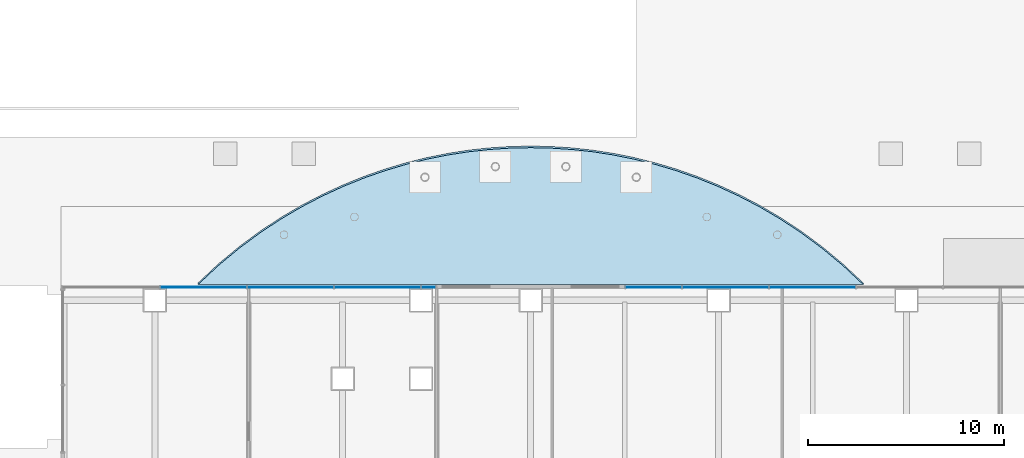
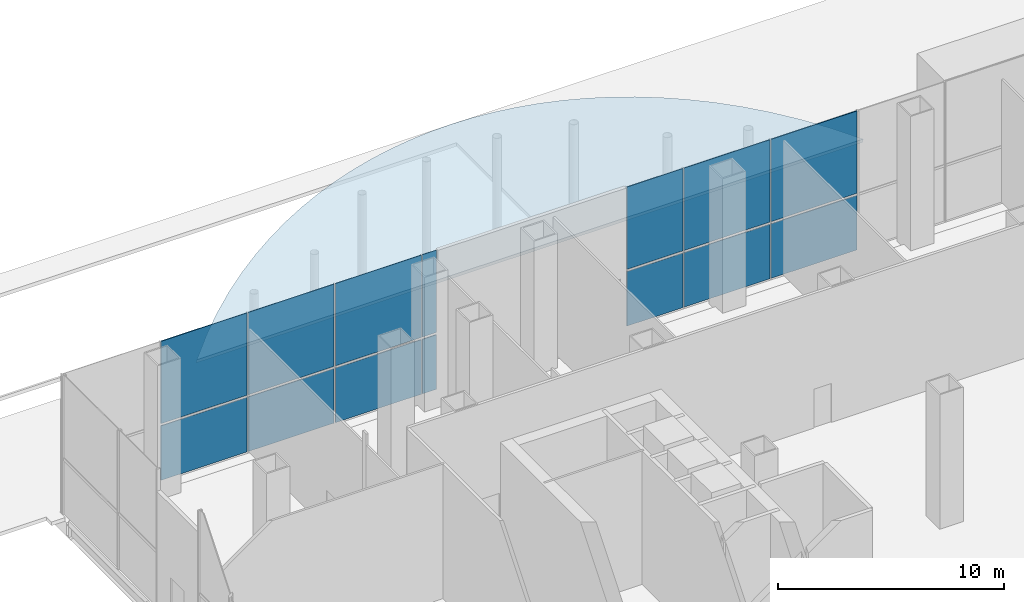
# One storey, part 23 of 36: 14 plates, 1 slab, 2 elements without a shape of their own.
"""IFC4 building model written with IfcOpenShell, lengths in metres."""

from ifc_helpers import new_model, si_unit, direction, frame, origin, origin_2d, place, context, subcontext, project, spatial, polyline, rectangle, outline, extrude, material, layer, layer_set, type_object, element, aggregate, save


model = new_model("IFC4")

# Units and contexts
model_context = context("Model", 3, precision=1e-05, world=origin(), true_north=direction((0.0, 1.0)))
body_context = subcontext(model_context, "Body", "Model", "MODEL_VIEW")
ifc_project = project(units=[si_unit("LENGTHUNIT", "METRE"), si_unit("AREAUNIT", "SQUARE_METRE"), si_unit("VOLUMEUNIT", "CUBIC_METRE"), si_unit("PLANEANGLEUNIT", "RADIAN"), si_unit("MASSUNIT", "GRAM", prefix="KILO")], contexts=[model_context])

# Site, building, storey
site_placement = place(None, origin())
site = spatial("IfcSite", under=ifc_project, at=site_placement, CompositionType="ELEMENT")
building_placement = place(site_placement, origin())
building = spatial("IfcBuilding", under=site, at=building_placement, Name="Cobrizo Arcos Hotel Tower", CompositionType="ELEMENT")
storey_placement = place(building_placement, origin())
storey = spatial("IfcBuildingStorey", under=building, at=storey_placement, Name="L00", CompositionType="ELEMENT", Elevation=0.0)

# Curtain wall, plates
ifc_material_1 = material(Name="Aluminium 6063-T6 anodised bronze", Category="aluminium")
curtain_wall_type = type_object("IfcCurtainWallType", Name="CW-A guest facade", PredefinedType="NOTDEFINED", material=ifc_material_1)
curtain_wall_1_placement = place(storey_placement, origin())
curtain_wall_1 = element("IfcCurtainWall", 1, at=curtain_wall_1_placement, inside=storey, type_object=curtain_wall_type, Name="CW-A L00 N face", PredefinedType="NOTDEFINED")
ifc_material_2 = material(Name="Glass clear laminated low-e", Category="glass")
ifc_layer_1 = layer(ifc_material_2, 0.0400390625)
ifc_layer_set_1 = layer_set([ifc_layer_1], Name="CW-A glass panel")
plate_type = type_object("IfcPlateType", Name="CW-A glass panel", PredefinedType="CURTAIN_PANEL", material=ifc_layer_set_1)
plate_1_placement = place(storey_placement, frame((0.0, 24.675048828125, 0.0), z_axis=(0.0, 0.0, 1.0), x_axis=(-1.0, 0.0, 0.0)))
plate_1 = element("IfcPlate", 2, at=plate_1_placement, type_object=plate_type, Name="CW-A glass panel 19", PredefinedType="CURTAIN_PANEL", context=body_context, shape_type="SweptSolid", body=[
    extrude(rectangle(XDim=4.384521484375, YDim=0.0400390625, at=origin_2d()), origin(), (0.0, 0.0, 1.0), 2.93994140625),
])
plate_2_placement = place(storey_placement, frame((0.0, 24.675048828125, 3.06005859375), z_axis=(0.0, 0.0, 1.0), x_axis=(-1.0, 0.0, 0.0)))
plate_2 = element("IfcPlate", 3, at=plate_2_placement, type_object=plate_type, Name="CW-A glass panel 19", PredefinedType="CURTAIN_PANEL", context=body_context, shape_type="SweptSolid", body=[
    extrude(rectangle(XDim=4.384521484375, YDim=0.0400390625, at=origin_2d()), origin(), (0.0, 0.0, 1.0), 4.43994140625),
])
plate_3_placement = place(storey_placement, frame((-4.4443359375, 24.675048828125, 0.0), z_axis=(0.0, 0.0, 1.0), x_axis=(-1.0, 0.0, 0.0)))
plate_3 = element("IfcPlate", 4, at=plate_3_placement, type_object=plate_type, Name="CW-A glass panel 20", PredefinedType="CURTAIN_PANEL", context=body_context, shape_type="SweptSolid", body=[
    extrude(rectangle(XDim=4.384521484375, YDim=0.0400390625, at=origin_2d()), origin(), (0.0, 0.0, 1.0), 2.93994140625),
])
plate_4_placement = place(storey_placement, frame((-4.4443359375, 24.675048828125, 3.06005859375), z_axis=(0.0, 0.0, 1.0), x_axis=(-1.0, 0.0, 0.0)))
plate_4 = element("IfcPlate", 5, at=plate_4_placement, type_object=plate_type, Name="CW-A glass panel 20", PredefinedType="CURTAIN_PANEL", context=body_context, shape_type="SweptSolid", body=[
    extrude(rectangle(XDim=4.384521484375, YDim=0.0400390625, at=origin_2d()), origin(), (0.0, 0.0, 1.0), 4.43994140625),
])
plate_5_placement = place(storey_placement, frame((-8.118408203125, 24.675048828125, 0.0), z_axis=(0.0, 0.0, 1.0), x_axis=(-1.0, 0.0, 0.0)))
plate_5 = element("IfcPlate", 6, at=plate_5_placement, type_object=plate_type, Name="CW-A glass panel 21", PredefinedType="CURTAIN_PANEL", context=body_context, shape_type="SweptSolid", body=[
    extrude(rectangle(XDim=2.84326171875, YDim=0.0400390625, at=origin_2d()), origin(), (0.0, 0.0, 1.0), 2.93994140625),
])
plate_6_placement = place(storey_placement, frame((-8.118408203125, 24.675048828125, 3.06005859375), z_axis=(0.0, 0.0, 1.0), x_axis=(-1.0, 0.0, 0.0)))
plate_6 = element("IfcPlate", 7, at=plate_6_placement, type_object=plate_type, Name="CW-A glass panel 21", PredefinedType="CURTAIN_PANEL", context=body_context, shape_type="SweptSolid", body=[
    extrude(rectangle(XDim=2.84326171875, YDim=0.0400390625, at=origin_2d()), origin(), (0.0, 0.0, 1.0), 4.43994140625),
])
aggregate(curtain_wall_1, [plate_1, plate_2, plate_3, plate_4, plate_5, plate_6])

curtain_wall_2_placement = place(storey_placement, origin())
curtain_wall_2 = element("IfcCurtainWall", 8, at=curtain_wall_2_placement, inside=storey, type_object=curtain_wall_type, Name="CW-A L00 N face", PredefinedType="NOTDEFINED")
plate_7_placement = place(storey_placement, frame((-19.614990234375, 24.675048828125, 0.0), z_axis=(0.0, 0.0, 1.0), x_axis=(-1.0, 0.0, 0.0)))
plate_7 = element("IfcPlate", 9, at=plate_7_placement, type_object=plate_type, Name="CW-A glass panel 22", PredefinedType="CURTAIN_PANEL", context=body_context, shape_type="SweptSolid", body=[
    extrude(rectangle(XDim=0.7099609375, YDim=0.0400390625, at=origin_2d()), origin(), (0.0, 0.0, 1.0), 2.93994140625),
])
plate_8_placement = place(storey_placement, frame((-19.614990234375, 24.675048828125, 3.06005859375), z_axis=(0.0, 0.0, 1.0), x_axis=(-1.0, 0.0, 0.0)))
plate_8 = element("IfcPlate", 10, at=plate_8_placement, type_object=plate_type, Name="CW-A glass panel 22", PredefinedType="CURTAIN_PANEL", context=body_context, shape_type="SweptSolid", body=[
    extrude(rectangle(XDim=0.7099609375, YDim=0.0400390625, at=origin_2d()), origin(), (0.0, 0.0, 1.0), 4.43994140625),
])
plate_9_placement = place(storey_placement, frame((-22.22216796875, 24.675048828125, 0.0), z_axis=(0.0, 0.0, 1.0), x_axis=(-1.0, 0.0, 0.0)))
plate_9 = element("IfcPlate", 11, at=plate_9_placement, type_object=plate_type, Name="CW-A glass panel 23", PredefinedType="CURTAIN_PANEL", context=body_context, shape_type="SweptSolid", body=[
    extrude(rectangle(XDim=4.384521484375, YDim=0.0400390625, at=origin_2d()), origin(), (0.0, 0.0, 1.0), 2.93994140625),
])
plate_10_placement = place(storey_placement, frame((-22.22216796875, 24.675048828125, 3.06005859375), z_axis=(0.0, 0.0, 1.0), x_axis=(-1.0, 0.0, 0.0)))
plate_10 = element("IfcPlate", 12, at=plate_10_placement, type_object=plate_type, Name="CW-A glass panel 23", PredefinedType="CURTAIN_PANEL", context=body_context, shape_type="SweptSolid", body=[
    extrude(rectangle(XDim=4.384521484375, YDim=0.0400390625, at=origin_2d()), origin(), (0.0, 0.0, 1.0), 4.43994140625),
])
plate_11_placement = place(storey_placement, frame((-26.666748046875, 24.675048828125, 0.0), z_axis=(0.0, 0.0, 1.0), x_axis=(-1.0, 0.0, 0.0)))
plate_11 = element("IfcPlate", 13, at=plate_11_placement, type_object=plate_type, Name="CW-A glass panel 24", PredefinedType="CURTAIN_PANEL", context=body_context, shape_type="SweptSolid", body=[
    extrude(rectangle(XDim=4.384521484375, YDim=0.0400390625, at=origin_2d()), origin(), (0.0, 0.0, 1.0), 2.93994140625),
])
plate_12_placement = place(storey_placement, frame((-26.666748046875, 24.675048828125, 3.06005859375), z_axis=(0.0, 0.0, 1.0), x_axis=(-1.0, 0.0, 0.0)))
plate_12 = element("IfcPlate", 14, at=plate_12_placement, type_object=plate_type, Name="CW-A glass panel 24", PredefinedType="CURTAIN_PANEL", context=body_context, shape_type="SweptSolid", body=[
    extrude(rectangle(XDim=4.384521484375, YDim=0.0400390625, at=origin_2d()), origin(), (0.0, 0.0, 1.0), 4.43994140625),
])
plate_13_placement = place(storey_placement, frame((-31.111083984375, 24.675048828125, 0.0), z_axis=(0.0, 0.0, 1.0), x_axis=(-1.0, 0.0, 0.0)))
plate_13 = element("IfcPlate", 15, at=plate_13_placement, type_object=plate_type, Name="CW-A glass panel 25", PredefinedType="CURTAIN_PANEL", context=body_context, shape_type="SweptSolid", body=[
    extrude(rectangle(XDim=4.384521484375, YDim=0.0400390625, at=origin_2d()), origin(), (0.0, 0.0, 1.0), 2.93994140625),
])
plate_14_placement = place(storey_placement, frame((-31.111083984375, 24.675048828125, 3.06005859375), z_axis=(0.0, 0.0, 1.0), x_axis=(-1.0, 0.0, 0.0)))
plate_14 = element("IfcPlate", 16, at=plate_14_placement, type_object=plate_type, Name="CW-A glass panel 25", PredefinedType="CURTAIN_PANEL", context=body_context, shape_type="SweptSolid", body=[
    extrude(rectangle(XDim=4.384521484375, YDim=0.0400390625, at=origin_2d()), origin(), (0.0, 0.0, 1.0), 4.43994140625),
])
aggregate(curtain_wall_2, [plate_7, plate_8, plate_9, plate_10, plate_11, plate_12, plate_13, plate_14])

# Slab
ifc_material_3 = material(Name="Reinforced concrete C40/50", Category="concrete")
ifc_layer_2 = layer(ifc_material_3, 0.25)
ifc_layer_set_2 = layer_set([ifc_layer_2], Name="Porte-cochere ribbon canopy 250")
slab_type = type_object("IfcSlabType", Name="Porte-cochere ribbon canopy 250", PredefinedType="ROOF", material=ifc_layer_set_2)
slab_placement = place(storey_placement, frame((-31.39990234375, 24.800048828125, 5.75), z_axis=(0.0, -0.336348683744, 0.941737523381), x_axis=(1.0, 0.0, 0.0)))
element("IfcSlab", 17, at=slab_placement, inside=storey, type_object=slab_type, Name="Porte-cochere ribbon canopy", PredefinedType="ROOF", context=body_context, shape_type="SweptSolid", body=[
    extrude(outline(polyline([(0.0, 0.0), (34.0, 0.0), (32.9375, 1.0533011468772777), (31.875, 1.988917400595015), (30.8125, 2.822910137494029), (29.75, 3.5663975079067267), (28.6875, 4.2288061310748395), (27.625, 4.816770764097453), (26.5625, 5.336318531288889), (25.5, 5.791538676739189), (24.4375, 6.186142728141176), (23.375, 6.52313603127898), (22.3125, 6.804686382764425), (21.25, 7.032797346453596), (20.1875, 7.208552820652408), (19.125, 7.3334965364418565), (18.0625, 7.4081704429749), (17.0, 7.433034373026625), (15.9375, 7.4081704429749), (14.875, 7.3334965364418565), (13.8125, 7.208552820652408), (12.75, 7.032797346453596), (11.6875, 6.804686382764425), (10.625, 6.52313603127898), (9.5625, 6.186142728141176), (8.5, 5.791538676739189), (7.4375, 5.336318531288889), (6.375, 4.816770764097453), (5.3125, 4.2288061310748395), (4.25, 3.5663975079067267), (3.1875, 2.822910137494029), (2.125, 1.988917400595015), (1.0625, 1.0533011468772777), (0.0, 0.0)])), origin(), (0.0, 0.0, -1.0), 0.25),
])

save(model, "model.ifc")
